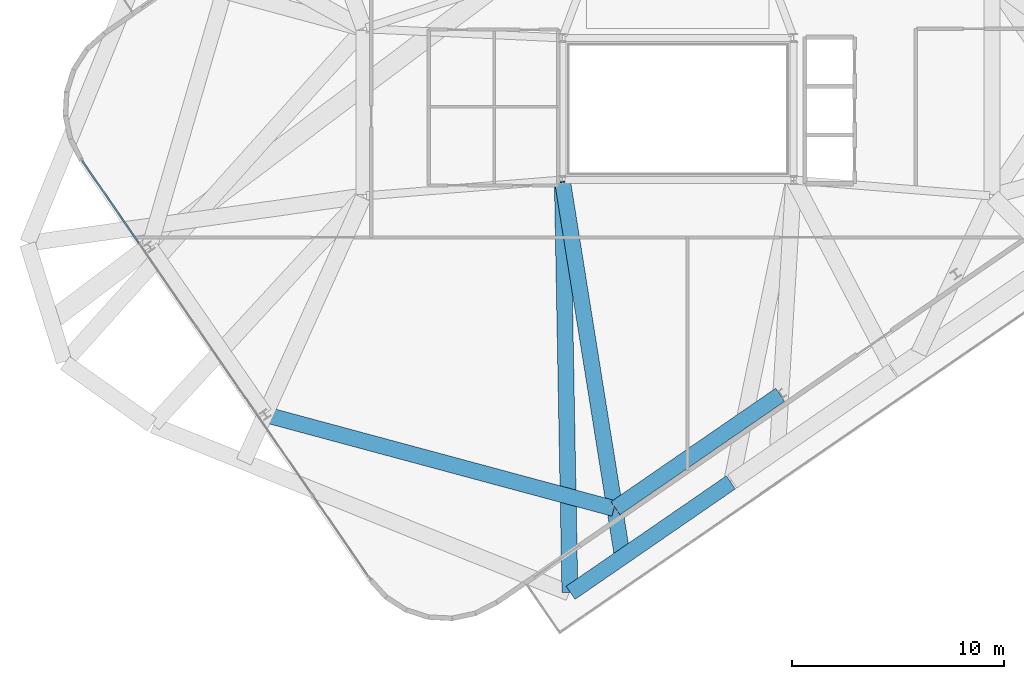
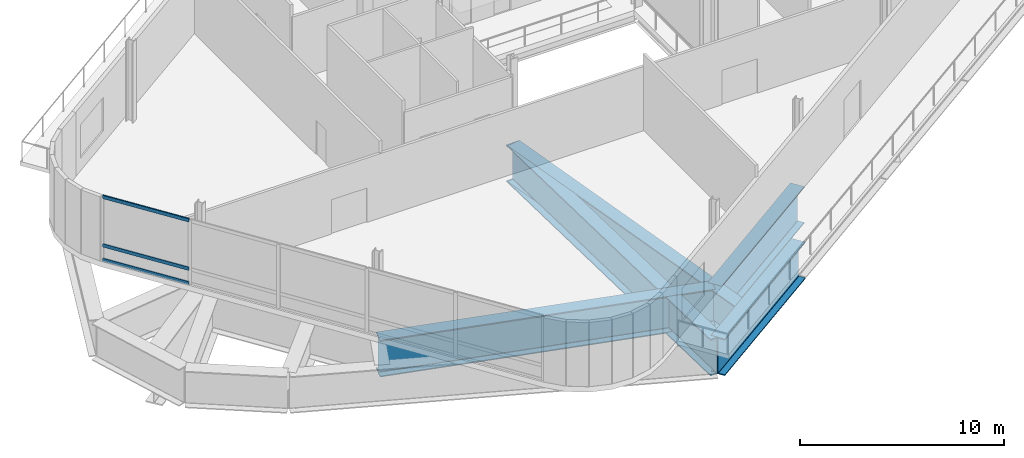
# One storey, part 5 of 18: 5 beams, 3 members, 1 element without a shape of its own.
"""IFC4 building model written with IfcOpenShell, lengths in metres."""

import ifcopenshell
import ifcopenshell.guid

model = None  # the IFC model being written
_history = None  # IfcOwnerHistory: only IFC2X3 demands one
_inside = {}  # id of a spatial element -> (the spatial element, [elements in it])
_under = {}  # id of a project, library or spatial element -> (it, [spatial elements below it])
_declared = {}  # id of a project -> (the project, [libraries it declares])
_typed = {}  # id of a type object -> (the type object, [elements of that type])
_made_of = {}  # id of a material, layer set ... -> (it, [elements and type objects made of it])


def new_model(schema):
    """Start an empty IFC model of exactly this schema.

    Asked for "IFC4X3", IfcOpenShell would pick the latest addendum, in which some entities
    have other attributes; the version numbers below select the first issue.
    IFC2X3 requires an IfcOwnerHistory on every rooted entity: one is made here for all.
    """
    global model, _history
    if schema == "IFC4X3":
        model = ifcopenshell.file(schema_version=(4, 3, 0, 0))
    else:
        model = ifcopenshell.file(schema=schema)
    _inside.clear()
    _under.clear()
    _declared.clear()
    _typed.clear()
    _made_of.clear()
    _history = None
    if model.schema == "IFC2X3":
        org = make("IfcOrganization", Name="unknown")
        user = make(
            "IfcPersonAndOrganization",
            ThePerson=make("IfcPerson", FamilyName="unknown"),
            TheOrganization=org,
        )
        app = make(
            "IfcApplication",
            ApplicationDeveloper=org,
            Version="unknown",
            ApplicationFullName="unknown",
            ApplicationIdentifier="unknown",
        )
        _history = make(
            "IfcOwnerHistory",
            OwningUser=user,
            OwningApplication=app,
            ChangeAction="ADDED",
            CreationDate=0,
        )
    return model


def make(cls, **values):
    """One entity of the class cls with the attributes given. An attribute that is None is left unset."""
    return model.create_entity(
        cls, **{name: value for name, value in values.items() if value is not None}
    )


def rooted(cls, **values):
    """An entity with a GlobalId (a new one), such as an element, a storey or a relation."""
    return make(cls, GlobalId=ifcopenshell.guid.new(), OwnerHistory=_history, **values)


def si_unit(unit_type, name, prefix=None):
    """IfcSIUnit, for example si_unit("LENGTHUNIT", "METRE", prefix="MILLI")."""
    return make("IfcSIUnit", UnitType=unit_type, Prefix=prefix, Name=name)


def assignment(units):
    """IfcUnitAssignment: the units of a project."""
    return None if units is None else make("IfcUnitAssignment", Units=units)


def point(xyz):
    """IfcCartesianPoint."""
    return None if xyz is None else make("IfcCartesianPoint", Coordinates=xyz)


def direction(xyz):
    """IfcDirection."""
    return None if xyz is None else make("IfcDirection", DirectionRatios=xyz)


def frame(location, z_axis=None, x_axis=None):
    """IfcAxis2Placement3D, a coordinate frame: its origin and axes. An axis left out is left unset."""
    return make(
        "IfcAxis2Placement3D",
        Location=point(location),
        Axis=direction(z_axis),
        RefDirection=direction(x_axis),
    )


def frame_2d(location, x_axis=None):
    """IfcAxis2Placement2D, a coordinate frame in the plane: its origin and x axis."""
    return make(
        "IfcAxis2Placement2D", Location=point(location), RefDirection=direction(x_axis)
    )


def origin():
    """The frame at (0, 0, 0) with its axes left unset."""
    return frame((0.0, 0.0, 0.0))


def origin_2d():
    """The frame at (0, 0) in the plane with its x axis left unset."""
    return frame_2d((0.0, 0.0))


def place(relative_to, where):
    """IfcLocalPlacement: puts the frame where relative to a parent placement (None: the world)."""
    return make(
        "IfcLocalPlacement", PlacementRelTo=relative_to, RelativePlacement=where
    )


def context(
    kind, dimensions, precision=None, world=None, true_north=None, identifier=None
):
    """IfcGeometricRepresentationContext, for example the 3D "Model" context."""
    return make(
        "IfcGeometricRepresentationContext",
        ContextIdentifier=identifier,
        ContextType=kind,
        CoordinateSpaceDimension=dimensions,
        Precision=precision,
        WorldCoordinateSystem=world,
        TrueNorth=true_north,
    )


def subcontext(parent, identifier, kind, view, scale=None):
    """IfcGeometricRepresentationSubContext, for example "Body" below "Model"."""
    return make(
        "IfcGeometricRepresentationSubContext",
        ContextIdentifier=identifier,
        ContextType=kind,
        ParentContext=parent,
        TargetScale=scale,
        TargetView=view,
    )


def project(units=None, contexts=None):
    """IfcProject with its units and contexts."""
    return rooted(
        "IfcProject",
        Name="project",
        RepresentationContexts=contexts,
        UnitsInContext=assignment(units),
    )


def spatial(cls, under=None, at=None, **own):
    """A site, building, storey or space (cls), placed at a placement, below another one or the project."""
    s = rooted(cls, ObjectPlacement=at, **own)
    if under is not None:
        _under.setdefault(under.id(), (under, []))[1].append(s)
    return s


def profile(cls, at=None, kind="AREA", **sizes):
    """A parametric profile (cls). Its sizes go by their IFC names, for example OverallWidth=200.0."""
    return make(cls, ProfileType=kind, Position=at, **sizes)


def hollow_rectangle(**sizes):
    """IfcRectangleHollowProfileDef."""
    return profile("IfcRectangleHollowProfileDef", **sizes)


def i_section(**sizes):
    """IfcIShapeProfileDef."""
    return profile("IfcIShapeProfileDef", **sizes)


def extrude(swept, where, along, depth):
    """IfcExtrudedAreaSolid: the profile swept, set in the frame where, extruded along a direction by depth."""
    return make(
        "IfcExtrudedAreaSolid",
        SweptArea=swept,
        Position=where,
        ExtrudedDirection=direction(along),
        Depth=depth,
    )


def shape(context_of_items, identifier, shape_type, items):
    """IfcShapeRepresentation: the items that make up one representation, for example the "Body"."""
    return make(
        "IfcShapeRepresentation",
        ContextOfItems=context_of_items,
        RepresentationIdentifier=identifier,
        RepresentationType=shape_type,
        Items=items,
    )


def material(Name=None, Category=None):
    """IfcMaterial."""
    return make("IfcMaterial", Name=Name, Category=Category)


def layer(
    of_material, thickness, ventilated=None, Name=None, Category=None, Priority=None
):
    """IfcMaterialLayer: one layer of a wall or slab, of a material (None: an air gap)."""
    return make(
        "IfcMaterialLayer",
        Material=of_material,
        LayerThickness=thickness,
        IsVentilated=ventilated,
        Name=Name,
        Category=Category,
        Priority=Priority,
    )


def layer_set(layers, Name=None):
    """IfcMaterialLayerSet."""
    return make("IfcMaterialLayerSet", MaterialLayers=layers, LayerSetName=Name)


def material_profile(
    of_material, cross_section, Name=None, Category=None, Priority=None
):
    """IfcMaterialProfile: a cross section and its material."""
    return make(
        "IfcMaterialProfile",
        Name=Name,
        Material=of_material,
        Profile=cross_section,
        Priority=Priority,
        Category=Category,
    )


def profile_set(profiles, Name=None, composite=None):
    """IfcMaterialProfileSet."""
    return make(
        "IfcMaterialProfileSet",
        Name=Name,
        MaterialProfiles=profiles,
        CompositeProfile=composite,
    )


def made_of(thing, what):
    """Note that an element or type object is made of a material, layer set ...; save() writes the relation."""
    if what is not None:
        _made_of.setdefault(what.id(), (what, []))[1].append(thing)
    return thing


def type_object(cls, material=None, **own):
    """A type object (cls), such as IfcWallType, which elements share."""
    return made_of(rooted(cls, **own), material)


def element(
    cls,
    number,
    at=None,
    inside=None,
    cuts=None,
    type_object=None,
    material=None,
    context=None,
    identifier="Body",
    shape_type=None,
    held_by="IfcProductDefinitionShape",
    body=None,
    shapes=None,
    **own,
):
    """One element of the class cls, such as IfcWall. Its Tag is "e" and its number.

    at: its placement. inside: the storey or other place that contains it. cuts: it is an
    opening in that element (IfcRelVoidsElement). A single representation is given by context,
    identifier, shape_type and body (its items); several are given by shapes. held_by: the class
    of the entity that holds the representations. save() writes the other relations.
    """
    e = rooted(cls, Tag="e%d" % number, ObjectPlacement=at, **own)
    if body is not None:
        shapes = [shape(context, identifier, shape_type, body)]
    if shapes is not None:
        e.Representation = make(held_by, Representations=shapes)
    if inside is not None:
        _inside.setdefault(inside.id(), (inside, []))[1].append(e)
    if cuts is not None:
        rooted(
            "IfcRelVoidsElement", RelatingBuildingElement=cuts, RelatedOpeningElement=e
        )
    if type_object is not None:
        _typed.setdefault(type_object.id(), (type_object, []))[1].append(e)
    return made_of(e, material)


def aggregate(whole, parts):
    """IfcRelAggregates: a whole, such as a stair, and the parts it consists of."""
    return rooted("IfcRelAggregates", RelatingObject=whole, RelatedObjects=parts)


def save(model, path):
    """Write the relations noted so far, then the file.

    IfcRelAggregates (storeys below a building ...), IfcRelContainedInSpatialStructure (elements
    in a storey), IfcRelDefinesByType, IfcRelAssociatesMaterial and IfcRelDeclares: one each for
    every whole, place, type object, material and project.
    """
    for whole, parts in _under.values():
        aggregate(whole, parts)
    for where, things in _inside.values():
        rooted(
            "IfcRelContainedInSpatialStructure",
            RelatedElements=things,
            RelatingStructure=where,
        )
    for kind, things in _typed.values():
        rooted("IfcRelDefinesByType", RelatedObjects=things, RelatingType=kind)
    for what, things in _made_of.values():
        rooted("IfcRelAssociatesMaterial", RelatedObjects=things, RelatingMaterial=what)
    for by, libraries in _declared.values():
        rooted("IfcRelDeclares", RelatingContext=by, RelatedDefinitions=libraries)
    model.write(path)


model = new_model("IFC4")

# Units and contexts
model_context = context("Model", 3, precision=1e-05, world=origin(), true_north=direction((0.0, 1.0)))
body_context = subcontext(model_context, "Body", "Model", "MODEL_VIEW")
ifc_project = project(units=[si_unit("LENGTHUNIT", "METRE"), si_unit("AREAUNIT", "SQUARE_METRE"), si_unit("VOLUMEUNIT", "CUBIC_METRE"), si_unit("PLANEANGLEUNIT", "RADIAN"), si_unit("MASSUNIT", "GRAM", prefix="KILO")], contexts=[model_context])

# Site, building, storey
site_placement = place(None, origin())
site = spatial("IfcSite", under=ifc_project, at=site_placement, CompositionType="ELEMENT")
building_placement = place(site_placement, origin())
building = spatial("IfcBuilding", under=site, at=building_placement, Name="Varnelok Gate Tower", CompositionType="ELEMENT")
storey_placement = place(building_placement, frame((0.0, 0.0, 296.300048828125)))
storey = spatial("IfcBuildingStorey", under=building, at=storey_placement, Name="L76", CompositionType="ELEMENT", Elevation=296.300048828125)

# Beams
ifc_material_1 = material(Name="Structural Steel ASTM A572 Grade 50", Category="steel")
ifc_material_profile_1 = material_profile(ifc_material_1, i_section(OverallWidth=0.75, OverallDepth=2.199951171875, WebThickness=0.031982421875, FlangeThickness=0.06005859375, FilletRadius=0.028076171875, at=origin_2d()), Name="PG2200X750")
ifc_profile_set_1 = profile_set([ifc_material_profile_1], Name="Structural Steel ASTM A572 Grade 50")
beam_type = type_object("IfcBeamType", Name="BM-TR-PG2200", PredefinedType="BEAM", material=ifc_profile_set_1)
beam_1_placement = place(storey_placement, frame((34.140380859375, 0.103515625, -1.420166015625), z_axis=(0.82352888346, 0.567274341132, 0.0), x_axis=(-0.567274341132, 0.82352888346, 0.0)))
element("IfcBeam", 1, at=beam_1_placement, inside=storey, type_object=beam_type, Name="L76 Transfer Support Ring Girder 1", PredefinedType="BEAM", context=body_context, shape_type="SweptSolid", body=[
    extrude(i_section(OverallWidth=0.75, OverallDepth=2.199951171875, WebThickness=0.031982421875, FlangeThickness=0.06005859375, FilletRadius=0.028076171875, at=origin_2d()), origin(), (0.0, 0.0, 1.0), 9.169921875),
])
beam_2_placement = place(storey_placement, frame((33.750732421875, 19.510009765625, -1.420166015625), z_axis=(0.018355465541, -0.99983152425, 0.0), x_axis=(0.99983152425, 0.018355465541, 0.0)))
element("IfcBeam", 2, at=beam_2_placement, inside=storey, type_object=beam_type, Name="L76 Radial Transfer Main Girder 1", PredefinedType="BEAM", context=body_context, shape_type="SweptSolid", body=[
    extrude(i_section(OverallWidth=0.75, OverallDepth=2.199951171875, WebThickness=0.031982421875, FlangeThickness=0.06005859375, FilletRadius=0.028076171875, at=origin_2d()), origin(), (0.0, 0.0, 1.0), 19.392333984375),
])
beam_3_placement = place(storey_placement, frame((33.765869140625, 19.451171875, -1.420166015625), z_axis=(0.157586991209, -0.98750510895, 0.0), x_axis=(0.98750510895, 0.157586991209, 0.0)))
element("IfcBeam", 3, at=beam_3_placement, inside=storey, type_object=beam_type, Name="L76 Column Transfer Carrier Girder 1", PredefinedType="BEAM", context=body_context, shape_type="SweptSolid", body=[
    extrude(i_section(OverallWidth=0.75, OverallDepth=2.199951171875, WebThickness=0.031982421875, FlangeThickness=0.06005859375, FilletRadius=0.028076171875, at=origin_2d()), origin(), (0.0, 0.0, 1.0), 17.887451171875),
])
beam_4_placement = place(storey_placement, frame((36.25439453125, 4.08544921875, -1.420166015625), z_axis=(0.8235334302, 0.56726774044, 0.0), x_axis=(-0.56726774044, 0.8235334302, 0.0)))
element("IfcBeam", 4, at=beam_4_placement, inside=storey, type_object=beam_type, Name="L76 Upper Perimeter Transfer Ring 1", PredefinedType="BEAM", context=body_context, shape_type="SweptSolid", body=[
    extrude(i_section(OverallWidth=0.75, OverallDepth=2.199951171875, WebThickness=0.031982421875, FlangeThickness=0.06005859375, FilletRadius=0.028076171875, at=origin_2d()), origin(), (0.0, 0.0, 1.0), 9.420166015625),
])
beam_5_placement = place(storey_placement, frame((19.78564453125, 8.489990234375, -1.420166015625), z_axis=(0.965585491855, -0.260085866434, 0.0), x_axis=(0.260085866434, 0.965585491855, 0.0)))
element("IfcBeam", 5, at=beam_5_placement, inside=storey, type_object=beam_type, Name="L76 Upper Perimeter Transfer Ring 12", PredefinedType="BEAM", context=body_context, shape_type="SweptSolid", body=[
    extrude(i_section(OverallWidth=0.75, OverallDepth=2.199951171875, WebThickness=0.031982421875, FlangeThickness=0.06005859375, FilletRadius=0.028076171875, at=origin_2d()), origin(), (0.0, 0.0, 1.0), 16.98193359375),
])

# Curtain wall, members
ifc_material_2 = material(Name="Anodized Aluminum Alloy 6063-T6", Category="aluminium")
ifc_layer = layer(ifc_material_2, 0.179931640625)
ifc_layer_set = layer_set([ifc_layer], Name="Anodized Aluminum Alloy 6063-T6")
curtain_wall_type = type_object("IfcCurtainWallType", Name="CW6-CROWN-LOOKOUT", PredefinedType="USERDEFINED", material=ifc_layer_set)
curtain_wall_placement = place(storey_placement, origin())
curtain_wall = element("IfcCurtainWall", 6, at=curtain_wall_placement, inside=storey, type_object=curtain_wall_type, Name="L76 West End Vision Curtain Wall", ObjectType="STRUCTURAL GLAZING", PredefinedType="USERDEFINED")
ifc_material_profile_2 = material_profile(ifc_material_2, hollow_rectangle(XDim=0.074951171875, YDim=0.199951171875, WallThickness=0.00390625, at=origin_2d()), Name="ALU200X75X4")
ifc_profile_set_2 = profile_set([ifc_material_profile_2], Name="Anodized Aluminum Alloy 6063-T6")
member_type = type_object("IfcMemberType", Name="CW-TRAN-200", PredefinedType="USERDEFINED", material=ifc_profile_set_2)
member_1_placement = place(storey_placement, frame((13.7978515625, 16.5908203125, 0.037353515625), z_axis=(-0.567304451321, 0.82350814174, 0.0), x_axis=(-0.82350814174, -0.567304451321, 0.0)))
member_1 = element("IfcMember", 7, at=member_1_placement, type_object=member_type, Name="CW6 transom 5.1", ObjectType="TRANSOM", PredefinedType="USERDEFINED", context=body_context, shape_type="SweptSolid", body=[
    extrude(hollow_rectangle(XDim=0.074951171875, YDim=0.199951171875, WallThickness=0.00390625, at=origin_2d()), origin(), (0.0, 0.0, 1.0), 4.6875),
])
member_2_placement = place(storey_placement, frame((13.7978515625, 16.5908203125, 0.89990234375), z_axis=(-0.567304451321, 0.82350814174, 0.0), x_axis=(-0.82350814174, -0.567304451321, 0.0)))
member_2 = element("IfcMember", 8, at=member_2_placement, type_object=member_type, Name="CW6 transom 5.2", ObjectType="TRANSOM", PredefinedType="USERDEFINED", context=body_context, shape_type="SweptSolid", body=[
    extrude(hollow_rectangle(XDim=0.074951171875, YDim=0.199951171875, WallThickness=0.00390625, at=origin_2d()), origin(), (0.0, 0.0, 1.0), 4.6875),
])
member_3_placement = place(storey_placement, frame((13.7978515625, 16.5908203125, 3.79248046875), z_axis=(-0.567304451321, 0.82350814174, 0.0), x_axis=(-0.82350814174, -0.567304451321, 0.0)))
member_3 = element("IfcMember", 9, at=member_3_placement, type_object=member_type, Name="CW6 transom 5.3", ObjectType="TRANSOM", PredefinedType="USERDEFINED", context=body_context, shape_type="SweptSolid", body=[
    extrude(hollow_rectangle(XDim=0.074951171875, YDim=0.199951171875, WallThickness=0.00390625, at=origin_2d()), origin(), (0.0, 0.0, 1.0), 4.6875),
])
aggregate(curtain_wall, [member_1, member_2, member_3])

save(model, "model.ifc")
